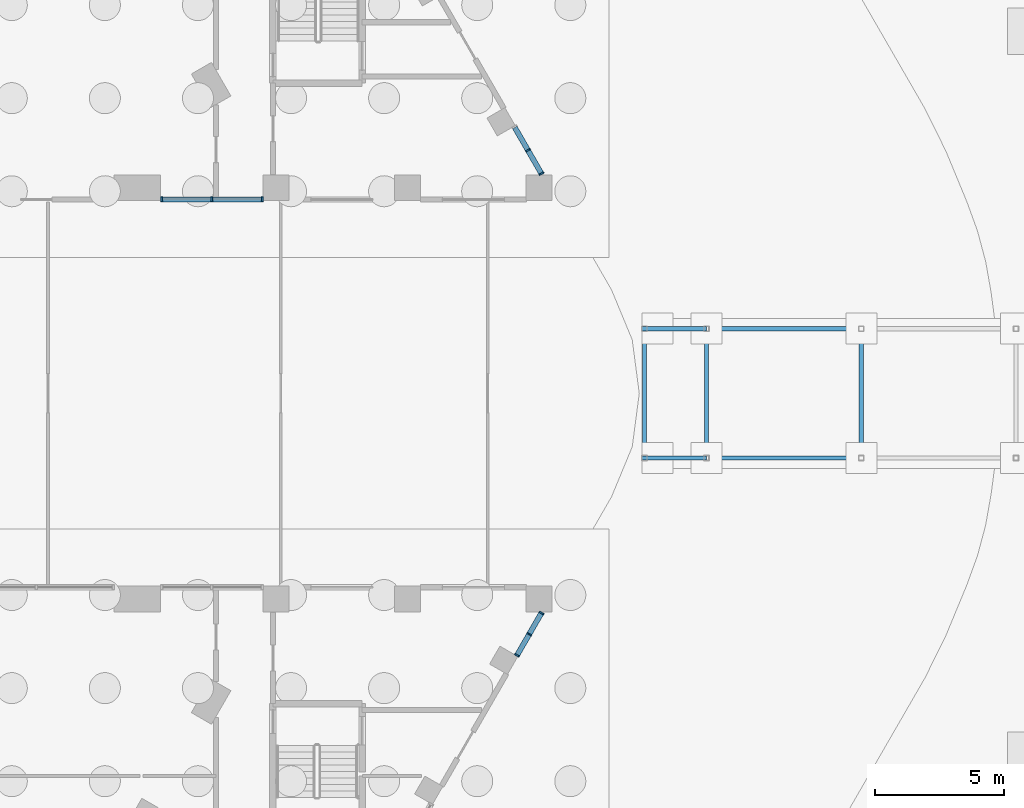
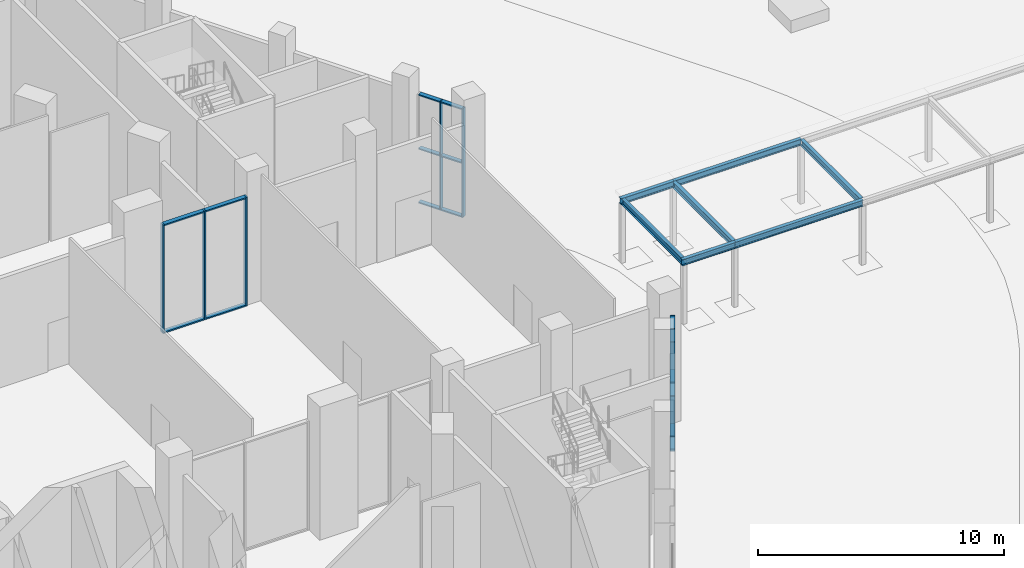
# One storey, part 13 of 44: 24 members, 7 beams, 3 elements without a shape of their own.
"""IFC4 building model written with IfcOpenShell, lengths in metres."""

from ifc_helpers import new_model, si_unit, direction, frame, origin, origin_2d, place, context, subcontext, project, spatial, rectangle, i_section, extrude, material, layer, layer_set, material_profile, profile_set, type_object, element, aggregate, save


model = new_model("IFC4")

# Units and contexts
model_context = context("Model", 3, precision=1e-05, world=origin(), true_north=direction((0.0, 1.0)))
body_context = subcontext(model_context, "Body", "Model", "MODEL_VIEW")
ifc_project = project(units=[si_unit("LENGTHUNIT", "METRE"), si_unit("AREAUNIT", "SQUARE_METRE"), si_unit("VOLUMEUNIT", "CUBIC_METRE"), si_unit("PLANEANGLEUNIT", "RADIAN"), si_unit("MASSUNIT", "GRAM", prefix="KILO")], contexts=[model_context])

# Site, building, storey
site_placement = place(None, origin())
site = spatial("IfcSite", under=ifc_project, at=site_placement, CompositionType="ELEMENT")
building_placement = place(site_placement, origin())
building = spatial("IfcBuilding", under=site, at=building_placement, Name="Nakaniwa Court", CompositionType="ELEMENT")
storey_placement = place(building_placement, origin())
storey = spatial("IfcBuildingStorey", under=building, at=storey_placement, Name="L00", CompositionType="ELEMENT", Elevation=0.0)

# Beams
ifc_material_1 = material(Name="Steel AS/NZS 3679.1 Grade 300", Category="steel")
ifc_material_profile_1 = material_profile(ifc_material_1, i_section(OverallWidth=0.1650390625, OverallDepth=0.303955078125, WebThickness=0.006103515625, FlangeThickness=0.01025390625, FilletRadius=0.0087890625, at=origin_2d()), Name="310UB40.4")
ifc_profile_set_1 = profile_set([ifc_material_profile_1], Name="Steel AS/NZS 3679.1 Grade 300")
beam_type = type_object("IfcBeamType", Name="Canopy beam 310 UB40.4", PredefinedType="BEAM", material=ifc_profile_set_1)
beam_1_placement = place(storey_placement, frame((116.967529296875, 77.5, 3.052001953125), z_axis=(1.0, 0.0, 0.0), x_axis=(0.0, 1.0, 0.0)))
element("IfcBeam", 1, at=beam_1_placement, inside=storey, type_object=beam_type, Name="Canopy longitudinal beam S1", PredefinedType="BEAM", context=body_context, shape_type="SweptSolid", body=[
    extrude(i_section(OverallWidth=0.1650390625, OverallDepth=0.303955078125, WebThickness=0.006103515625, FlangeThickness=0.01025390625, FilletRadius=0.0087890625, at=origin_2d()), origin(), (0.0, 0.0, 1.0), 2.5),
])
beam_2_placement = place(storey_placement, frame((119.467529296875, 77.5, 3.052001953125), z_axis=(1.0, 0.0, 0.0), x_axis=(0.0, 1.0, 0.0)))
element("IfcBeam", 2, at=beam_2_placement, inside=storey, type_object=beam_type, Name="Canopy longitudinal beam S2", PredefinedType="BEAM", context=body_context, shape_type="SweptSolid", body=[
    extrude(i_section(OverallWidth=0.1650390625, OverallDepth=0.303955078125, WebThickness=0.006103515625, FlangeThickness=0.01025390625, FilletRadius=0.0087890625, at=origin_2d()), origin(), (0.0, 0.0, 1.0), 5.986572265625),
])
beam_3_placement = place(storey_placement, frame((116.967529296875, 82.5, 3.052001953125), z_axis=(1.0, 0.0, 0.0), x_axis=(0.0, 1.0, 0.0)))
element("IfcBeam", 3, at=beam_3_placement, inside=storey, type_object=beam_type, Name="Canopy longitudinal beam N1", PredefinedType="BEAM", context=body_context, shape_type="SweptSolid", body=[
    extrude(i_section(OverallWidth=0.1650390625, OverallDepth=0.303955078125, WebThickness=0.006103515625, FlangeThickness=0.01025390625, FilletRadius=0.0087890625, at=origin_2d()), origin(), (0.0, 0.0, 1.0), 2.5),
])
beam_4_placement = place(storey_placement, frame((119.467529296875, 82.5, 3.052001953125), z_axis=(1.0, 0.0, 0.0), x_axis=(0.0, 1.0, 0.0)))
element("IfcBeam", 4, at=beam_4_placement, inside=storey, type_object=beam_type, Name="Canopy longitudinal beam N2", PredefinedType="BEAM", context=body_context, shape_type="SweptSolid", body=[
    extrude(i_section(OverallWidth=0.1650390625, OverallDepth=0.303955078125, WebThickness=0.006103515625, FlangeThickness=0.01025390625, FilletRadius=0.0087890625, at=origin_2d()), origin(), (0.0, 0.0, 1.0), 5.986572265625),
])
for number, where, z_axis, x_axis, name in (
    (5, (117.0673828125, 77.58251953125, 3.052001953125), (0.0, 1.0, 0.0), (-1.0, 0.0, 0.0), "Canopy cross beam 1"),
    (6, (119.467529296875, 77.58251953125, 3.052001953125), (0.0, 1.0, 0.0), (-1.0, 0.0, 0.0), "Canopy cross beam 2"),
    (7, (125.4541015625, 77.58251953125, 3.052001953125), (0.0, 1.0, 0.0), (-1.0, 0.0, 0.0), "Canopy cross beam 3"),
):
    element("IfcBeam", number, at=place(storey_placement, frame(where, z_axis=z_axis, x_axis=x_axis)), inside=storey, type_object=beam_type, Name=name, PredefinedType="BEAM", context=body_context, shape_type="SweptSolid", body=[
        extrude(i_section(OverallWidth=0.1650390625, OverallDepth=0.303955078125, WebThickness=0.006103515625, FlangeThickness=0.01025390625, FilletRadius=0.0087890625, at=origin_2d()), origin(), (0.0, 0.0, 1.0), 4.8349609375),
    ])

# Curtain wall, members
ifc_material_2 = material(Name="Black anodised aluminium frame with dark low-E laminated double glazing", Category="aluminium")
ifc_layer_1 = layer(ifc_material_2, 0.199951171875)
ifc_layer_set_1 = layer_set([ifc_layer_1], Name="Black anodised aluminium frame with dark low-E laminated double glazing")
curtain_wall_type_1 = type_object("IfcCurtainWallType", Name="Concourse stick curtain wall", PredefinedType="NOTDEFINED", material=ifc_layer_set_1)
curtain_wall_1_placement = place(storey_placement, origin())
curtain_wall_1 = element("IfcCurtainWall", 8, at=curtain_wall_1_placement, inside=storey, type_object=curtain_wall_type_1, Name="L00 curtain wall CW2 03", PredefinedType="NOTDEFINED")
ifc_material_3 = material(Name="Black anodised aluminium extrusion", Category="aluminium")
ifc_material_profile_2 = material_profile(ifc_material_3, rectangle(XDim=0.199951171875, YDim=0.06005859375, at=origin_2d()), Name="Concourse stick curtain wall mullion 60x200")
ifc_profile_set_2 = profile_set([ifc_material_profile_2], Name="Black anodised aluminium extrusion")
member_type_1 = type_object("IfcMemberType", Name="Concourse stick curtain wall mullion 60x200", PredefinedType="MULLION", material=ifc_profile_set_2)
member_1_placement = place(storey_placement, frame((112.140625, 69.869140625, 0.0), z_axis=(0.0, 0.0, 1.0), x_axis=(-0.866040120575, 0.499974508904, 0.0)))
member_1 = element("IfcMember", 9, at=member_1_placement, type_object=member_type_1, Name="CW2 mullion 1", PredefinedType="MULLION", context=body_context, shape_type="SweptSolid", body=[
    extrude(rectangle(XDim=0.199951171875, YDim=0.06005859375, at=origin_2d()), origin(), (0.0, 0.0, 1.0), 5.39990234375),
])
member_2_placement = place(storey_placement, frame((112.612060546875, 70.685791015625, 0.0), z_axis=(0.0, 0.0, 1.0), x_axis=(-0.866040120575, 0.499974508904, 0.0)))
member_2 = element("IfcMember", 10, at=member_2_placement, type_object=member_type_1, Name="CW2 mullion 2", PredefinedType="MULLION", context=body_context, shape_type="SweptSolid", body=[
    extrude(rectangle(XDim=0.199951171875, YDim=0.06005859375, at=origin_2d()), origin(), (0.0, 0.0, 1.0), 5.39990234375),
])
member_3_placement = place(storey_placement, frame((113.08349609375, 71.50244140625, 0.0), z_axis=(0.0, 0.0, 1.0), x_axis=(-0.866040120575, 0.499974508904, 0.0)))
member_3 = element("IfcMember", 11, at=member_3_placement, type_object=member_type_1, Name="CW2 mullion 3", PredefinedType="MULLION", context=body_context, shape_type="SweptSolid", body=[
    extrude(rectangle(XDim=0.199951171875, YDim=0.06005859375, at=origin_2d()), origin(), (0.0, 0.0, 1.0), 5.39990234375),
])

curtain_wall_2_placement = place(storey_placement, origin())
curtain_wall_2 = element("IfcCurtainWall", 12, at=curtain_wall_2_placement, inside=storey, type_object=curtain_wall_type_1, Name="L00 curtain wall CW2 39", PredefinedType="NOTDEFINED")
member_4_placement = place(storey_placement, frame((113.08349609375, 88.49755859375, 0.0), z_axis=(0.0, 0.0, 1.0), x_axis=(-0.866035247422, -0.499982949932, 0.0)))
member_4 = element("IfcMember", 13, at=member_4_placement, type_object=member_type_1, Name="CW2 mullion 1", PredefinedType="MULLION", context=body_context, shape_type="SweptSolid", body=[
    extrude(rectangle(XDim=0.199951171875, YDim=0.06005859375, at=origin_2d()), origin(), (0.0, 0.0, 1.0), 5.39990234375),
])
member_5_placement = place(storey_placement, frame((112.561279296875, 89.402099609375, 0.0), z_axis=(0.0, 0.0, 1.0), x_axis=(-0.866035247422, -0.499982949932, 0.0)))
member_5 = element("IfcMember", 14, at=member_5_placement, type_object=member_type_1, Name="CW2 mullion 2", PredefinedType="MULLION", context=body_context, shape_type="SweptSolid", body=[
    extrude(rectangle(XDim=0.199951171875, YDim=0.06005859375, at=origin_2d()), origin(), (0.0, 0.0, 1.0), 5.39990234375),
])

# Member
ifc_material_profile_3 = material_profile(ifc_material_3, rectangle(XDim=0.199951171875, YDim=0.06005859375, at=origin_2d()), Name="Concourse stick curtain wall transom 60x200")
ifc_profile_set_3 = profile_set([ifc_material_profile_3], Name="Black anodised aluminium extrusion")
member_type_2 = type_object("IfcMemberType", Name="Concourse stick curtain wall transom 60x200", PredefinedType="USERDEFINED", material=ifc_profile_set_3)
member_6_placement = place(storey_placement, frame((112.155517578125, 69.89501953125, 0.030029296875), z_axis=(0.500033502416, 0.866006060292, 0.0), x_axis=(-0.866006060292, 0.500033502416, 0.0)))
member_6 = element("IfcMember", 15, at=member_6_placement, type_object=member_type_2, Name="CW2 transom 1.1", ObjectType="TRANSOM", PredefinedType="USERDEFINED", context=body_context, shape_type="SweptSolid", body=[
    extrude(rectangle(XDim=0.199951171875, YDim=0.06005859375, at=origin_2d()), origin(), (0.0, 0.0, 1.0), 0.88330078125),
])

member_7_placement = place(storey_placement, frame((112.155517578125, 69.89501953125, 2.699951171875), z_axis=(0.500033502416, 0.866006060292, 0.0), x_axis=(-0.866006060292, 0.500033502416, 0.0)))
member_7 = element("IfcMember", 16, at=member_7_placement, type_object=member_type_2, Name="CW2 transom 1.2", ObjectType="TRANSOM", PredefinedType="USERDEFINED", context=body_context, shape_type="SweptSolid", body=[
    extrude(rectangle(XDim=0.199951171875, YDim=0.06005859375, at=origin_2d()), origin(), (0.0, 0.0, 1.0), 0.88330078125),
])

member_8_placement = place(storey_placement, frame((112.155517578125, 69.89501953125, 5.3701171875), z_axis=(0.500033502416, 0.866006060292, 0.0), x_axis=(-0.866006060292, 0.500033502416, 0.0)))
member_8 = element("IfcMember", 17, at=member_8_placement, type_object=member_type_2, Name="CW2 transom 1.3", ObjectType="TRANSOM", PredefinedType="USERDEFINED", context=body_context, shape_type="SweptSolid", body=[
    extrude(rectangle(XDim=0.199951171875, YDim=0.06005859375, at=origin_2d()), origin(), (0.0, 0.0, 1.0), 0.88330078125),
])

member_9_placement = place(storey_placement, frame((112.627197265625, 70.711669921875, 0.030029296875), z_axis=(0.499826157957, 0.866125748273, 0.0), x_axis=(-0.866125748273, 0.499826157957, 0.0)))
member_9 = element("IfcMember", 18, at=member_9_placement, type_object=member_type_2, Name="CW2 transom 2.1", ObjectType="TRANSOM", PredefinedType="USERDEFINED", context=body_context, shape_type="SweptSolid", body=[
    extrude(rectangle(XDim=0.199951171875, YDim=0.06005859375, at=origin_2d()), origin(), (0.0, 0.0, 1.0), 0.883056640625),
])

member_10_placement = place(storey_placement, frame((112.627197265625, 70.711669921875, 2.699951171875), z_axis=(0.499826157957, 0.866125748273, 0.0), x_axis=(-0.866125748273, 0.499826157957, 0.0)))
member_10 = element("IfcMember", 19, at=member_10_placement, type_object=member_type_2, Name="CW2 transom 2.2", ObjectType="TRANSOM", PredefinedType="USERDEFINED", context=body_context, shape_type="SweptSolid", body=[
    extrude(rectangle(XDim=0.199951171875, YDim=0.06005859375, at=origin_2d()), origin(), (0.0, 0.0, 1.0), 0.883056640625),
])

member_11_placement = place(storey_placement, frame((112.627197265625, 70.711669921875, 5.3701171875), z_axis=(0.499826157957, 0.866125748273, 0.0), x_axis=(-0.866125748273, 0.499826157957, 0.0)))
member_11 = element("IfcMember", 20, at=member_11_placement, type_object=member_type_2, Name="CW2 transom 2.3", ObjectType="TRANSOM", PredefinedType="USERDEFINED", context=body_context, shape_type="SweptSolid", body=[
    extrude(rectangle(XDim=0.199951171875, YDim=0.06005859375, at=origin_2d()), origin(), (0.0, 0.0, 1.0), 0.883056640625),
])

aggregate(curtain_wall_1, [member_1, member_2, member_3, member_6, member_7, member_8, member_9, member_10, member_11])

member_12_placement = place(storey_placement, frame((113.068603515625, 88.5234375, 0.030029296875), z_axis=(-0.499980071345, 0.866036909293, 0.0), x_axis=(-0.866036909293, -0.499980071345, 0.0)))
member_12 = element("IfcMember", 21, at=member_12_placement, type_object=member_type_2, Name="CW2 transom 1.1", ObjectType="TRANSOM", PredefinedType="USERDEFINED", context=body_context, shape_type="SweptSolid", body=[
    extrude(rectangle(XDim=0.199951171875, YDim=0.06005859375, at=origin_2d()), origin(), (0.0, 0.0, 1.0), 0.984375),
])

member_13_placement = place(storey_placement, frame((113.068603515625, 88.5234375, 2.699951171875), z_axis=(-0.499980071345, 0.866036909293, 0.0), x_axis=(-0.866036909293, -0.499980071345, 0.0)))
member_13 = element("IfcMember", 22, at=member_13_placement, type_object=member_type_2, Name="CW2 transom 1.2", ObjectType="TRANSOM", PredefinedType="USERDEFINED", context=body_context, shape_type="SweptSolid", body=[
    extrude(rectangle(XDim=0.199951171875, YDim=0.06005859375, at=origin_2d()), origin(), (0.0, 0.0, 1.0), 0.984375),
])

member_14_placement = place(storey_placement, frame((113.068603515625, 88.5234375, 5.3701171875), z_axis=(-0.499980071345, 0.866036909293, 0.0), x_axis=(-0.866036909293, -0.499980071345, 0.0)))
member_14 = element("IfcMember", 23, at=member_14_placement, type_object=member_type_2, Name="CW2 transom 1.3", ObjectType="TRANSOM", PredefinedType="USERDEFINED", context=body_context, shape_type="SweptSolid", body=[
    extrude(rectangle(XDim=0.199951171875, YDim=0.06005859375, at=origin_2d()), origin(), (0.0, 0.0, 1.0), 0.984375),
])

member_15_placement = place(storey_placement, frame((112.54638671875, 89.427978515625, 0.030029296875), z_axis=(-0.499980071345, 0.866036909293, 0.0), x_axis=(-0.866036909293, -0.499980071345, 0.0)))
member_15 = element("IfcMember", 24, at=member_15_placement, type_object=member_type_2, Name="CW2 transom 2.1", ObjectType="TRANSOM", PredefinedType="USERDEFINED", context=body_context, shape_type="SweptSolid", body=[
    extrude(rectangle(XDim=0.199951171875, YDim=0.06005859375, at=origin_2d()), origin(), (0.0, 0.0, 1.0), 0.984375),
])

member_16_placement = place(storey_placement, frame((112.54638671875, 89.427978515625, 2.699951171875), z_axis=(-0.499980071345, 0.866036909293, 0.0), x_axis=(-0.866036909293, -0.499980071345, 0.0)))
member_16 = element("IfcMember", 25, at=member_16_placement, type_object=member_type_2, Name="CW2 transom 2.2", ObjectType="TRANSOM", PredefinedType="USERDEFINED", context=body_context, shape_type="SweptSolid", body=[
    extrude(rectangle(XDim=0.199951171875, YDim=0.06005859375, at=origin_2d()), origin(), (0.0, 0.0, 1.0), 0.984375),
])

member_17_placement = place(storey_placement, frame((112.54638671875, 89.427978515625, 5.3701171875), z_axis=(-0.499980071345, 0.866036909293, 0.0), x_axis=(-0.866036909293, -0.499980071345, 0.0)))
member_17 = element("IfcMember", 26, at=member_17_placement, type_object=member_type_2, Name="CW2 transom 2.3", ObjectType="TRANSOM", PredefinedType="USERDEFINED", context=body_context, shape_type="SweptSolid", body=[
    extrude(rectangle(XDim=0.199951171875, YDim=0.06005859375, at=origin_2d()), origin(), (0.0, 0.0, 1.0), 0.984375),
])

aggregate(curtain_wall_2, [member_4, member_5, member_12, member_13, member_14, member_15, member_16, member_17])

# Curtain wall, members
ifc_layer_2 = layer(ifc_material_2, 0.199951171875)
ifc_layer_set_2 = layer_set([ifc_layer_2], Name="Black anodised aluminium frame with dark low-E laminated double glazing")
curtain_wall_type_2 = type_object("IfcCurtainWallType", Name="Portal side curtain wall", PredefinedType="NOTDEFINED", material=ifc_layer_set_2)
curtain_wall_3_placement = place(storey_placement, origin())
curtain_wall_3 = element("IfcCurtainWall", 27, at=curtain_wall_3_placement, inside=storey, type_object=curtain_wall_type_2, Name="L00 curtain wall CW5 36", PredefinedType="NOTDEFINED")
ifc_material_profile_4 = material_profile(ifc_material_3, rectangle(XDim=0.199951171875, YDim=0.074951171875, at=origin_2d()), Name="Portal side curtain wall mullion 75x200")
ifc_profile_set_4 = profile_set([ifc_material_profile_4], Name="Black anodised aluminium extrusion")
member_type_3 = type_object("IfcMemberType", Name="Portal side curtain wall mullion 75x200", PredefinedType="MULLION", material=ifc_profile_set_4)
member_18_placement = place(storey_placement, frame((98.3916015625, 87.5, 0.0), z_axis=(0.0, 0.0, 1.0), x_axis=(0.0, 1.0, 0.0)))
member_18 = element("IfcMember", 28, at=member_18_placement, type_object=member_type_3, Name="CW5 mullion 1", PredefinedType="MULLION", context=body_context, shape_type="SweptSolid", body=[
    extrude(rectangle(XDim=0.199951171875, YDim=0.074951171875, at=origin_2d()), origin(), (0.0, 0.0, 1.0), 5.39990234375),
])
member_19_placement = place(storey_placement, frame((100.340576171875, 87.5, 0.0), z_axis=(0.0, 0.0, 1.0), x_axis=(0.0, 1.0, 0.0)))
member_19 = element("IfcMember", 29, at=member_19_placement, type_object=member_type_3, Name="CW5 mullion 2", PredefinedType="MULLION", context=body_context, shape_type="SweptSolid", body=[
    extrude(rectangle(XDim=0.199951171875, YDim=0.074951171875, at=origin_2d()), origin(), (0.0, 0.0, 1.0), 5.39990234375),
])
member_20_placement = place(storey_placement, frame((102.28955078125, 87.5, 0.0), z_axis=(0.0, 0.0, 1.0), x_axis=(0.0, 1.0, 0.0)))
member_20 = element("IfcMember", 30, at=member_20_placement, type_object=member_type_3, Name="CW5 mullion 3", PredefinedType="MULLION", context=body_context, shape_type="SweptSolid", body=[
    extrude(rectangle(XDim=0.199951171875, YDim=0.074951171875, at=origin_2d()), origin(), (0.0, 0.0, 1.0), 5.39990234375),
])
ifc_material_profile_5 = material_profile(ifc_material_3, rectangle(XDim=0.199951171875, YDim=0.06494140625, at=origin_2d()), Name="Portal side curtain wall transom 65x200")
ifc_profile_set_5 = profile_set([ifc_material_profile_5], Name="Black anodised aluminium extrusion")
member_type_4 = type_object("IfcMemberType", Name="Portal side curtain wall transom 65x200", PredefinedType="USERDEFINED", material=ifc_profile_set_5)
member_21_placement = place(storey_placement, frame((98.428955078125, 87.5, 0.032470703125), z_axis=(1.0, 0.0, 0.0), x_axis=(0.0, 1.0, 0.0)))
member_21 = element("IfcMember", 31, at=member_21_placement, type_object=member_type_4, Name="CW5 transom 1.1", ObjectType="TRANSOM", PredefinedType="USERDEFINED", context=body_context, shape_type="SweptSolid", body=[
    extrude(rectangle(XDim=0.199951171875, YDim=0.06494140625, at=origin_2d()), origin(), (0.0, 0.0, 1.0), 1.8740234375),
])
member_22_placement = place(storey_placement, frame((98.428955078125, 87.5, 5.367431640625), z_axis=(1.0, 0.0, 0.0), x_axis=(0.0, 1.0, 0.0)))
member_22 = element("IfcMember", 32, at=member_22_placement, type_object=member_type_4, Name="CW5 transom 1.2", ObjectType="TRANSOM", PredefinedType="USERDEFINED", context=body_context, shape_type="SweptSolid", body=[
    extrude(rectangle(XDim=0.199951171875, YDim=0.06494140625, at=origin_2d()), origin(), (0.0, 0.0, 1.0), 1.8740234375),
])
member_23_placement = place(storey_placement, frame((100.3779296875, 87.5, 0.032470703125), z_axis=(1.0, 0.0, 0.0), x_axis=(0.0, 1.0, 0.0)))
member_23 = element("IfcMember", 33, at=member_23_placement, type_object=member_type_4, Name="CW5 transom 2.1", ObjectType="TRANSOM", PredefinedType="USERDEFINED", context=body_context, shape_type="SweptSolid", body=[
    extrude(rectangle(XDim=0.199951171875, YDim=0.06494140625, at=origin_2d()), origin(), (0.0, 0.0, 1.0), 1.8740234375),
])
member_24_placement = place(storey_placement, frame((100.3779296875, 87.5, 5.367431640625), z_axis=(1.0, 0.0, 0.0), x_axis=(0.0, 1.0, 0.0)))
member_24 = element("IfcMember", 34, at=member_24_placement, type_object=member_type_4, Name="CW5 transom 2.2", ObjectType="TRANSOM", PredefinedType="USERDEFINED", context=body_context, shape_type="SweptSolid", body=[
    extrude(rectangle(XDim=0.199951171875, YDim=0.06494140625, at=origin_2d()), origin(), (0.0, 0.0, 1.0), 1.8740234375),
])
aggregate(curtain_wall_3, [member_18, member_19, member_20, member_21, member_22, member_23, member_24])

save(model, "model.ifc")
